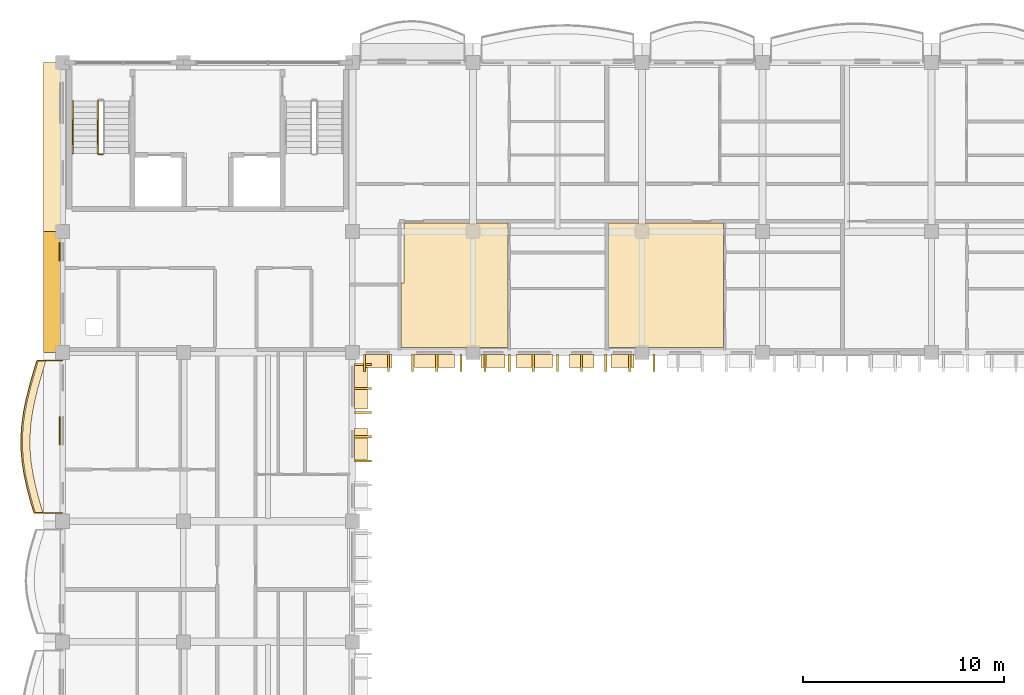
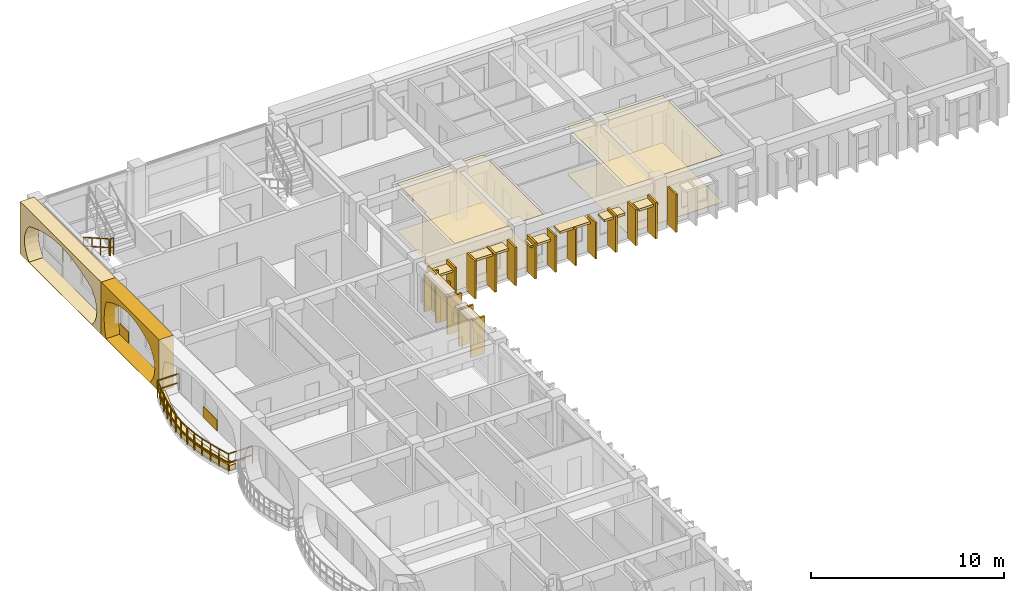
# One storey, part 80 of 101: 35 coverings, 4 railings.
"""IFC4 building model written with IfcOpenShell, lengths in metres."""

from ifc_helpers import new_model, si_unit, direction, frame, origin, origin_2d, place, context, subcontext, project, spatial, polyline, rectangle, outline, extrude, material, layer, layer_set, type_object, element, save


model = new_model("IFC4")

# Units and contexts
model_context = context("Model", 3, precision=1e-05, world=origin(), true_north=direction((0.0, 1.0)))
body_context = subcontext(model_context, "Body", "Model", "MODEL_VIEW")
ifc_project = project(units=[si_unit("LENGTHUNIT", "METRE"), si_unit("AREAUNIT", "SQUARE_METRE"), si_unit("VOLUMEUNIT", "CUBIC_METRE"), si_unit("PLANEANGLEUNIT", "RADIAN"), si_unit("MASSUNIT", "GRAM", prefix="KILO"), si_unit("THERMODYNAMICTEMPERATUREUNIT", "KELVIN")], contexts=[model_context])

# Site, building, storey
site_placement = place(None, origin())
site = spatial("IfcSite", under=ifc_project, at=site_placement, CompositionType="ELEMENT")
building_placement = place(site_placement, origin())
building = spatial("IfcBuilding", under=site, at=building_placement, Name="Thalorik Housing Commons", CompositionType="ELEMENT")
storey_placement = place(building_placement, frame((0.0, 0.0, 8.10009765625)))
storey = spatial("IfcBuildingStorey", under=building, at=storey_placement, Name="L02", CompositionType="ELEMENT", Elevation=8.10009765625)

# Coverings
ifc_material_1 = material(Name="Cobalt blue glazed ceramic facade tile panel", Category="masonry")
ifc_layer_1 = layer(ifc_material_1, 0.06005859375, Name="Cobalt blue glazed ceramic facade tile panel", Category="masonry")
ifc_layer_set_1 = layer_set([ifc_layer_1], Name="Cobalt blue glazed ceramic facade tile panel")
covering_type_1 = type_object("IfcCoveringType", Name="ARC-CLD-BLU-60", PredefinedType="CLADDING", material=ifc_layer_set_1)
covering_1_placement = place(storey_placement, frame((8.257568359375, 105.302490234375, 0.0498046875), z_axis=(0.0, 0.0, 1.0), x_axis=(0.0, -1.0, 0.0)))
element("IfcCovering", 1, at=covering_1_placement, inside=storey, type_object=covering_type_1, Name="L02 De Stijl Recessed Window Spandrel 197", PredefinedType="CLADDING", context=body_context, shape_type="SweptSolid", body=[
    extrude(rectangle(XDim=1.39990234375, YDim=0.06005859375, at=origin_2d()), origin(), (0.0, 0.0, 1.0), 0.699951171875),
])
ifc_material_2 = material(Name="Precast concrete C40/50", Category="concrete")
ifc_layer_2 = layer(ifc_material_2, 0.85009765625, Name="Precast concrete C40/50", Category="concrete")
ifc_layer_set_2 = layer_set([ifc_layer_2], Name="Precast concrete C40/50")
covering_type_2 = type_object("IfcCoveringType", Name="ARC-CLD-CUSH-850", PredefinedType="CLADDING", material=ifc_layer_set_2)
covering_2_placement = place(storey_placement, frame((7.867431640625, 119.39990234375, 0.0), z_axis=(0.0, 0.0, 1.0), x_axis=(0.0, -1.0, 0.0)))
element("IfcCovering", 2, at=covering_2_placement, inside=storey, type_object=covering_type_2, Name="L02 White Precast Curved Cushion Bay Frame 192", PredefinedType="CLADDING", context=body_context, shape_type="SweptSolid", body=[
    extrude(outline(polyline([(-4.199951171875, 0.0), (4.199951171875, 0.0), (4.199951171875, 3.300048828125), (-4.199951171875, 3.300048828125), (-4.199951171875, 0.0)]), holes=[polyline([(3.239990234375, 0.02490234375), (3.523193359375, 0.40087890625), (3.693359375, 0.776611328125), (3.75, 1.152587890625), (3.693359375, 1.5283203125), (3.523193359375, 1.904296875), (3.239990234375, 2.280029296875), (2.697265625, 2.51123046875), (2.154296875, 2.693115234375), (1.611572265625, 2.840087890625), (1.06884765625, 2.94970703125), (0.52587890625, 3.01708984375), (-0.016845703125, 3.0400390625), (-0.559814453125, 3.01708984375), (-1.1025390625, 2.94970703125), (-1.645263671875, 2.840087890625), (-2.18798828125, 2.693115234375), (-2.73095703125, 2.51123046875), (-3.273681640625, 2.280029296875), (-3.538330078125, 1.904296875), (-3.697021484375, 1.5283203125), (-3.75, 1.152587890625), (-3.697021484375, 0.776611328125), (-3.538330078125, 0.40087890625), (-3.273681640625, 0.02490234375), (3.239990234375, 0.02490234375)])]), frame((0.0, 0.425048828125, 0.0), z_axis=(0.0, -1.0, 0.0), x_axis=(1.0, 0.0, 0.0)), (0.0, 0.0, 1.0), 0.85009765625),
])
covering_3_placement = place(storey_placement, frame((7.867431640625, 112.199951171875, 0.0), z_axis=(0.0, 0.0, 1.0), x_axis=(0.0, -1.0, 0.0)))
element("IfcCovering", 3, at=covering_3_placement, inside=storey, type_object=covering_type_2, Name="L02 White Precast Curved Cushion Bay Frame 194", PredefinedType="CLADDING", context=body_context, shape_type="SweptSolid", body=[
    extrude(outline(polyline([(-3.0, 0.0), (3.0, 0.0), (3.0, 3.300048828125), (-3.0, 3.300048828125), (-3.0, 0.0)]), holes=[polyline([(2.0400390625, 0.02490234375), (2.3232421875, 0.410888671875), (2.493408203125, 0.796630859375), (2.550048828125, 1.1826171875), (2.493408203125, 1.568359375), (2.3232421875, 1.9541015625), (2.0400390625, 2.340087890625), (1.661376953125, 2.552978515625), (1.282470703125, 2.720458984375), (0.90380859375, 2.85595703125), (0.52490234375, 2.956787109375), (0.146240234375, 3.01904296875), (-0.232421875, 3.0400390625), (-0.611328125, 3.01904296875), (-0.989990234375, 2.956787109375), (-1.36865234375, 2.85595703125), (-1.74755859375, 2.720458984375), (-2.126220703125, 2.552978515625), (-2.5048828125, 2.340087890625), (-2.609619140625, 1.9541015625), (-2.672119140625, 1.568359375), (-2.693115234375, 1.1826171875), (-2.672119140625, 0.796630859375), (-2.609619140625, 0.410888671875), (-2.5048828125, 0.02490234375), (2.0400390625, 0.02490234375)])]), frame((0.0, 0.425048828125, 0.0), z_axis=(0.0, -1.0, 0.0), x_axis=(1.0, 0.0, 0.0)), (0.0, 0.0, 1.0), 0.85009765625),
])
ifc_layer_3 = layer(ifc_material_2, 0.85009765625, Name="Precast concrete C40/50", Category="concrete")
ifc_layer_set_3 = layer_set([ifc_layer_3], Name="Precast concrete C40/50")
covering_type_3 = type_object("IfcCoveringType", Name="ARC-CLD-FIN-850", PredefinedType="CLADDING", material=ifc_layer_set_3)
for number, where, z_axis, x_axis, name in (
    (4, (23.39990234375, 108.66748046875, 0.039794921875), (0.0, 0.0, 1.0), (1.0, 0.0, 0.0), "L02 Courtyard Precast Vertical Brise-Soleil Fin 124"),
    (5, (24.60009765625, 108.66748046875, 0.039794921875), (0.0, 0.0, 1.0), (1.0, 0.0, 0.0), "L02 Courtyard Precast Vertical Brise-Soleil Fin 125"),
    (6, (25.800048828125, 108.66748046875, 0.039794921875), (0.0, 0.0, 1.0), (1.0, 0.0, 0.0), "L02 Courtyard Precast Vertical Brise-Soleil Fin 126"),
    (7, (27.0, 108.66748046875, 0.039794921875), (0.0, 0.0, 1.0), (1.0, 0.0, 0.0), "L02 Courtyard Precast Vertical Brise-Soleil Fin 127"),
    (8, (28.199951171875, 108.66748046875, 0.039794921875), (0.0, 0.0, 1.0), (1.0, 0.0, 0.0), "L02 Courtyard Precast Vertical Brise-Soleil Fin 128"),
):
    element("IfcCovering", number, at=place(storey_placement, frame(where, z_axis=z_axis, x_axis=x_axis)), inside=storey, type_object=covering_type_3, Name=name, PredefinedType="CLADDING", context=body_context, shape_type="SweptSolid", body=[
        extrude(rectangle(XDim=0.110107421875, YDim=0.85009765625, at=origin_2d()), origin(), (0.0, 0.0, 1.0), 2.39501953125),
    ])
for number, where, z_axis, x_axis, name in (
    (9, (29.39990234375, 108.66748046875, 0.0400390625), (0.0, 0.0, 1.0), (1.0, 0.0, 0.0), "L02 Courtyard Precast Vertical Brise-Soleil Fin 131"),
    (10, (30.60009765625, 108.66748046875, 0.0400390625), (0.0, 0.0, 1.0), (1.0, 0.0, 0.0), "L02 Courtyard Precast Vertical Brise-Soleil Fin 132"),
    (11, (31.800048828125, 108.66748046875, 0.0400390625), (0.0, 0.0, 1.0), (1.0, 0.0, 0.0), "L02 Courtyard Precast Vertical Brise-Soleil Fin 133"),
    (12, (33.0, 108.66748046875, 0.0400390625), (0.0, 0.0, 1.0), (1.0, 0.0, 0.0), "L02 Courtyard Precast Vertical Brise-Soleil Fin 134"),
    (13, (34.199951171875, 108.66748046875, 0.0400390625), (0.0, 0.0, 1.0), (1.0, 0.0, 0.0), "L02 Courtyard Precast Vertical Brise-Soleil Fin 135"),
    (14, (35.39990234375, 108.66748046875, 0.0400390625), (0.0, 0.0, 1.0), (1.0, 0.0, 0.0), "L02 Courtyard Precast Vertical Brise-Soleil Fin 136"),
    (15, (36.60009765625, 108.66748046875, 0.0400390625), (0.0, 0.0, 1.0), (1.0, 0.0, 0.0), "L02 Courtyard Precast Vertical Brise-Soleil Fin 137"),
):
    element("IfcCovering", number, at=place(storey_placement, frame(where, z_axis=z_axis, x_axis=x_axis)), inside=storey, type_object=covering_type_3, Name=name, PredefinedType="CLADDING", context=body_context, shape_type="SweptSolid", body=[
        extrude(rectangle(XDim=0.110107421875, YDim=0.85009765625, at=origin_2d()), origin(), (0.0, 0.0, 1.0), 2.294921875),
    ])
covering_4_placement = place(storey_placement, frame((37.800048828125, 108.66748046875, 0.039794921875), z_axis=(0.0, 0.0, 1.0), x_axis=(1.0, 0.0, 0.0)))
element("IfcCovering", 16, at=covering_4_placement, inside=storey, type_object=covering_type_3, Name="L02 Courtyard Precast Vertical Brise-Soleil Fin 142", PredefinedType="CLADDING", context=body_context, shape_type="SweptSolid", body=[
    extrude(rectangle(XDim=0.110107421875, YDim=0.85009765625, at=origin_2d()), origin(), (0.0, 0.0, 1.0), 2.39501953125),
])
for number, where, z_axis, x_axis, name in (
    (17, (23.33251953125, 103.800048828125, 0.0400390625), (0.0, 0.0, 1.0), (0.0, 1.0, 0.0), "L02 Courtyard Precast Vertical Brise-Soleil Fin 258"),
    (18, (23.33251953125, 105.0, 0.0400390625), (0.0, 0.0, 1.0), (0.0, 1.0, 0.0), "L02 Courtyard Precast Vertical Brise-Soleil Fin 259"),
    (19, (23.33251953125, 106.199951171875, 0.0400390625), (0.0, 0.0, 1.0), (0.0, 1.0, 0.0), "L02 Courtyard Precast Vertical Brise-Soleil Fin 260"),
    (20, (23.33251953125, 107.39990234375, 0.0400390625), (0.0, 0.0, 1.0), (0.0, 1.0, 0.0), "L02 Courtyard Precast Vertical Brise-Soleil Fin 261"),
    (21, (23.33251953125, 108.60009765625, 0.0400390625), (0.0, 0.0, 1.0), (0.0, 1.0, 0.0), "L02 Courtyard Precast Vertical Brise-Soleil Fin 262"),
):
    element("IfcCovering", number, at=place(storey_placement, frame(where, z_axis=z_axis, x_axis=x_axis)), inside=storey, type_object=covering_type_3, Name=name, PredefinedType="CLADDING", context=body_context, shape_type="SweptSolid", body=[
        extrude(rectangle(XDim=0.110107421875, YDim=0.85009765625, at=origin_2d()), origin(), (0.0, 0.0, 1.0), 2.344970703125),
    ])
ifc_layer_4 = layer(ifc_material_2, 0.64990234375, Name="Precast concrete C40/50", Category="concrete")
ifc_layer_set_4 = layer_set([ifc_layer_4], Name="Precast concrete C40/50")
covering_type_4 = type_object("IfcCoveringType", Name="ARC-CLD-HOOD-650", PredefinedType="CLADDING", material=ifc_layer_set_4)
covering_5_placement = place(storey_placement, frame((24.070068359375, 108.767578125, 2.0400390625), z_axis=(0.0, 0.0, 1.0), x_axis=(1.0, 0.0, 0.0)))
element("IfcCovering", 22, at=covering_5_placement, inside=storey, type_object=covering_type_4, Name="L02 Courtyard Precast Window Sun-Hood 129", PredefinedType="CLADDING", context=body_context, shape_type="SweptSolid", body=[
    extrude(rectangle(XDim=1.389892578125, YDim=0.64990234375, at=origin_2d()), origin(), (0.0, 0.0, 1.0), 0.139892578125),
])
covering_6_placement = place(storey_placement, frame((26.8798828125, 108.767578125, 2.23974609375), z_axis=(0.0, 0.0, 1.0), x_axis=(1.0, 0.0, 0.0)))
element("IfcCovering", 23, at=covering_6_placement, inside=storey, type_object=covering_type_4, Name="L02 Courtyard Precast Window Sun-Hood 130", PredefinedType="CLADDING", context=body_context, shape_type="SweptSolid", body=[
    extrude(rectangle(XDim=1.989990234375, YDim=0.64990234375, at=origin_2d()), origin(), (0.0, 0.0, 1.0), 0.139892578125),
])
covering_7_placement = place(storey_placement, frame((29.797607421875, 108.767578125, 1.93994140625), z_axis=(0.0, 0.0, 1.0), x_axis=(1.0, 0.0, 0.0)))
element("IfcCovering", 24, at=covering_7_placement, inside=storey, type_object=covering_type_4, Name="L02 Courtyard Precast Window Sun-Hood 138", PredefinedType="CLADDING", context=body_context, shape_type="SweptSolid", body=[
    extrude(rectangle(XDim=1.18994140625, YDim=0.64990234375, at=origin_2d()), origin(), (0.0, 0.0, 1.0), 0.139892578125),
])
covering_8_placement = place(storey_placement, frame((31.853759765625, 108.767578125, 2.22509765625), z_axis=(0.0, 0.0, 1.0), x_axis=(1.0, 0.0, 0.0)))
element("IfcCovering", 25, at=covering_8_placement, inside=storey, type_object=covering_type_4, Name="L02 Courtyard Precast Window Sun-Hood 139", PredefinedType="CLADDING", context=body_context, shape_type="SweptSolid", body=[
    extrude(rectangle(XDim=1.820068359375, YDim=0.64990234375, at=origin_2d()), origin(), (0.0, 0.0, 1.0), 0.139892578125),
])
covering_9_placement = place(storey_placement, frame((34.211181640625, 108.767578125, 2.0400390625), z_axis=(0.0, 0.0, 1.0), x_axis=(1.0, 0.0, 0.0)))
element("IfcCovering", 26, at=covering_9_placement, inside=storey, type_object=covering_type_4, Name="L02 Courtyard Precast Window Sun-Hood 140", PredefinedType="CLADDING", context=body_context, shape_type="SweptSolid", body=[
    extrude(rectangle(XDim=1.239990234375, YDim=0.64990234375, at=origin_2d()), origin(), (0.0, 0.0, 1.0), 0.139892578125),
])
covering_10_placement = place(storey_placement, frame((36.235107421875, 108.767578125, 1.98974609375), z_axis=(0.0, 0.0, 1.0), x_axis=(1.0, 0.0, 0.0)))
element("IfcCovering", 27, at=covering_10_placement, inside=storey, type_object=covering_type_4, Name="L02 Courtyard Precast Window Sun-Hood 141", PredefinedType="CLADDING", context=body_context, shape_type="SweptSolid", body=[
    extrude(rectangle(XDim=1.139892578125, YDim=0.64990234375, at=origin_2d()), origin(), (0.0, 0.0, 1.0), 0.139892578125),
])
covering_11_placement = place(storey_placement, frame((23.232421875, 104.639892578125, 2.18994140625), z_axis=(0.0, 0.0, 1.0), x_axis=(0.0, 1.0, 0.0)))
element("IfcCovering", 28, at=covering_11_placement, inside=storey, type_object=covering_type_4, Name="L02 Courtyard Precast Window Sun-Hood 264", PredefinedType="CLADDING", context=body_context, shape_type="SweptSolid", body=[
    extrude(rectangle(XDim=1.5400390625, YDim=0.64990234375, at=origin_2d()), origin(), (0.0, 0.0, 1.0), 0.139892578125),
])
covering_12_placement = place(storey_placement, frame((23.232421875, 107.506591796875, 2.27490234375), z_axis=(0.0, 0.0, 1.0), x_axis=(0.0, 1.0, 0.0)))
element("IfcCovering", 29, at=covering_12_placement, inside=storey, type_object=covering_type_4, Name="L02 Courtyard Precast Window Sun-Hood 265", PredefinedType="CLADDING", context=body_context, shape_type="SweptSolid", body=[
    extrude(rectangle(XDim=2.239990234375, YDim=0.64990234375, at=origin_2d()), origin(), (0.0, 0.0, 1.0), 0.139892578125),
])
ifc_material_3 = material(Name="Terracotta red mineral fibre-cement panel", Category="masonry")
ifc_layer_5 = layer(ifc_material_3, 0.054931640625, Name="Terracotta red mineral fibre-cement panel", Category="masonry")
ifc_layer_set_5 = layer_set([ifc_layer_5], Name="Terracotta red mineral fibre-cement panel")
covering_type_5 = type_object("IfcCoveringType", Name="ARC-CLD-RED-55", PredefinedType="CLADDING", material=ifc_layer_set_5)
covering_13_placement = place(storey_placement, frame((8.260009765625, 114.205078125, 0.0498046875), z_axis=(0.0, 0.0, 1.0), x_axis=(0.0, -1.0, 0.0)))
element("IfcCovering", 30, at=covering_13_placement, inside=storey, type_object=covering_type_5, Name="L02 De Stijl Recessed Window Spandrel 195", PredefinedType="CLADDING", context=body_context, shape_type="SweptSolid", body=[
    extrude(rectangle(XDim=0.89990234375, YDim=0.054931640625, at=origin_2d()), origin(), (0.0, 0.0, 1.0), 0.699951171875),
])
ifc_material_4 = material(Name="Perforated acoustic gypsum ceiling board")
ifc_layer_6 = layer(ifc_material_4, 0.014892578125, Name="Perforated acoustic gypsum ceiling board")
ifc_layer_set_6 = layer_set([ifc_layer_6], Name="Perforated acoustic gypsum ceiling board")
covering_type_6 = type_object("IfcCoveringType", Name="ARC-COV-CEIL-01", PredefinedType="CEILING", material=ifc_layer_set_6)
covering_14_placement = place(storey_placement, frame((0.0, 0.0, 2.98486328125)))
element("IfcCovering", 31, at=covering_14_placement, inside=storey, type_object=covering_type_6, Name="L02 Family Lounge Suspended Ceiling", PredefinedType="CEILING", context=body_context, shape_type="SweptSolid", body=[
    extrude(outline(polyline([(25.22998046875, 109.43994140625), (30.534912109375, 109.43994140625), (30.534912109375, 115.639892578125), (25.364990234375, 115.639892578125), (25.36328125, 112.642822265625), (25.349853515625, 112.635009765625), (25.22998046875, 112.635009765625), (25.22998046875, 109.43994140625)])), origin(), (0.0, 0.0, 1.0), 0.01513671875),
])
ifc_material_5 = material(Name="Mineral fibre acoustic ceiling tile")
ifc_layer_7 = layer(ifc_material_5, 0.01806640625, Name="Mineral fibre acoustic ceiling tile")
ifc_layer_set_7 = layer_set([ifc_layer_7], Name="Mineral fibre acoustic ceiling tile")
covering_type_7 = type_object("IfcCoveringType", Name="ARC-COV-CEIL-02", PredefinedType="CEILING", material=ifc_layer_set_7)
covering_15_placement = place(storey_placement, frame((0.0, 0.0, 2.98193359375)))
element("IfcCovering", 32, at=covering_15_placement, inside=storey, type_object=covering_type_7, Name="L02 Living Dining Room Suspended Ceiling", PredefinedType="CEILING", context=body_context, shape_type="SweptSolid", body=[
    extrude(outline(polyline([(41.25, 109.43994140625), (41.25, 115.639892578125), (35.5400390625, 115.639892578125), (35.5400390625, 109.43994140625), (41.25, 109.43994140625)])), origin(), (0.0, 0.0, 1.0), 0.01806640625),
])
ifc_material_6 = material(Name="Glazed Recife ceramic apartment floor tile")
ifc_layer_8 = layer(ifc_material_6, 0.011962890625, Name="Glazed Recife ceramic apartment floor tile")
ifc_layer_set_8 = layer_set([ifc_layer_8], Name="Glazed Recife ceramic apartment floor tile")
covering_type_8 = type_object("IfcCoveringType", Name="ARC-COV-FLR-01", PredefinedType="FLOORING", material=ifc_layer_set_8)
covering_16_placement = place(storey_placement, origin())
element("IfcCovering", 33, at=covering_16_placement, inside=storey, type_object=covering_type_8, Name="L02 Family Lounge Flooring", PredefinedType="FLOORING", context=body_context, shape_type="SweptSolid", body=[
    extrude(outline(polyline([(25.22998046875, 109.43994140625), (30.534912109375, 109.43994140625), (30.534912109375, 115.639892578125), (25.364990234375, 115.639892578125), (25.36328125, 112.642822265625), (25.349853515625, 112.635009765625), (25.22998046875, 112.635009765625), (25.22998046875, 109.43994140625)])), origin(), (0.0, 0.0, 1.0), 0.011962890625),
])
ifc_material_7 = material(Name="Slip-resistant quarry terracotta corridor tile", Category="masonry")
ifc_layer_9 = layer(ifc_material_7, 0.01611328125, Name="Slip-resistant quarry terracotta corridor tile", Category="masonry")
ifc_layer_set_9 = layer_set([ifc_layer_9], Name="Slip-resistant quarry terracotta corridor tile")
covering_type_9 = type_object("IfcCoveringType", Name="ARC-COV-FLR-02", PredefinedType="FLOORING", material=ifc_layer_set_9)
covering_17_placement = place(storey_placement, origin())
element("IfcCovering", 34, at=covering_17_placement, inside=storey, type_object=covering_type_9, Name="L02 Living Dining Room Flooring", PredefinedType="FLOORING", context=body_context, shape_type="SweptSolid", body=[
    extrude(outline(polyline([(41.25, 109.43994140625), (41.25, 115.639892578125), (35.5400390625, 115.639892578125), (35.5400390625, 109.43994140625), (41.25, 109.43994140625)])), origin(), (0.0, 0.0, 1.0), 0.015869140625),
])
ifc_material_8 = material(Name="Planted vegetated substrate and terracotta trough", Category="masonry")
ifc_layer_10 = layer(ifc_material_8, 0.340087890625, Name="Planted vegetated substrate and terracotta trough", Category="masonry")
ifc_layer_set_10 = layer_set([ifc_layer_10], Name="Planted vegetated substrate and terracotta trough")
covering_type_10 = type_object("IfcCoveringType", Name="ARC-COV-PLANTER", PredefinedType="USERDEFINED", material=ifc_layer_set_10)
covering_18_placement = place(storey_placement, origin())
element("IfcCovering", 35, at=covering_18_placement, inside=storey, type_object=covering_type_10, Name="L02 Balcony Slab-Edge Planted Trough 5326", ObjectType="PLANTER", PredefinedType="USERDEFINED", context=body_context, shape_type="SweptSolid", body=[
    extrude(outline(polyline([(7.1806640625, 108.780029296875), (6.9951171875, 108.14990234375), (6.816650390625, 107.52001953125), (6.657470703125, 106.889892578125), (6.5283203125, 106.260009765625), (6.438720703125, 105.6298828125), (6.39453125, 105.0), (6.3994140625, 104.3701171875), (6.45263671875, 103.739990234375), (6.551025390625, 103.110107421875), (6.6875, 102.47998046875), (6.85302734375, 101.85009765625), (7.0361328125, 101.219970703125), (7.416259765625, 101.219970703125), (7.233154296875, 101.85009765625), (7.067626953125, 102.47998046875), (6.930908203125, 103.110107421875), (6.83251953125, 103.739990234375), (6.779296875, 104.3701171875), (6.774658203125, 105.0), (6.818603515625, 105.6298828125), (6.908203125, 106.260009765625), (7.037353515625, 106.889892578125), (7.19677734375, 107.52001953125), (7.375244140625, 108.14990234375), (7.560546875, 108.780029296875), (7.1806640625, 108.780029296875)])), origin(), (0.0, 0.0, 1.0), 0.33984375),
])

# Railings
ifc_material_9 = material(Name="Steel S355", Category="steel")
railing_type_1 = type_object("IfcRailingType", Name="ARC-RL-BAL-112", PredefinedType="BALUSTRADE", material=ifc_material_9)
railing_1_placement = place(storey_placement, frame((8.39990234375, 108.780029296875, 0.0)))
element("IfcRailing", 36, at=railing_1_placement, inside=storey, type_object=railing_type_1, Name="L02 Cushion Balcony Guardrail 10", PredefinedType="BALUSTRADE", context=body_context, shape_type="SweptSolid", body=[
    extrude(rectangle(XDim=0.050048828125, YDim=0.050048828125, at=origin_2d()), frame((0.0, 0.0, 1.09521484375), z_axis=(-1.0, 0.0, 0.0), x_axis=(0.0, -1.0, 0.0)), (0.0, 0.0, 1.0), 1.289306640625),
    extrude(rectangle(XDim=0.050048828125, YDim=0.050048828125, at=origin_2d()), frame((0.0, 0.0, 0.53515625), z_axis=(-1.0, 0.0, 0.0), x_axis=(0.0, -1.0, 0.0)), (0.0, 0.0, 1.0), 1.289306640625),
    extrude(rectangle(XDim=0.050048828125, YDim=0.050048828125, at=origin_2d()), frame((-1.289306640625, 0.0, 1.09521484375), z_axis=(-0.282126075149, -0.959377338549, 0.0), x_axis=(0.959377338549, -0.282126075149, 0.0)), (0.0, 0.0, 1.0), 0.65673828125),
    extrude(rectangle(XDim=0.050048828125, YDim=0.050048828125, at=origin_2d()), frame((-1.289306640625, 0.0, 0.53515625), z_axis=(-0.282126075149, -0.959377338549, 0.0), x_axis=(0.959377338549, -0.282126075149, 0.0)), (0.0, 0.0, 1.0), 0.65673828125),
    extrude(rectangle(XDim=0.050048828125, YDim=0.050048828125, at=origin_2d()), frame((-1.474609375, -0.630126953125, 1.09521484375), z_axis=(-0.272947724844, -0.962028866252, 0.0), x_axis=(0.962028866252, -0.272947724844, 0.0)), (0.0, 0.0, 1.0), 0.65478515625),
    extrude(rectangle(XDim=0.050048828125, YDim=0.050048828125, at=origin_2d()), frame((-1.474609375, -0.630126953125, 0.53515625), z_axis=(-0.272947724844, -0.962028866252, 0.0), x_axis=(0.962028866252, -0.272947724844, 0.0)), (0.0, 0.0, 1.0), 0.65478515625),
    extrude(rectangle(XDim=0.050048828125, YDim=0.050048828125, at=origin_2d()), frame((-1.6533203125, -1.260009765625, 1.09521484375), z_axis=(-0.244921349705, -0.969542950291, 0.0), x_axis=(0.969542950291, -0.244921349705, 0.0)), (0.0, 0.0, 1.0), 0.64990234375),
    extrude(rectangle(XDim=0.050048828125, YDim=0.050048828125, at=origin_2d()), frame((-1.6533203125, -1.260009765625, 0.53515625), z_axis=(-0.244921349705, -0.969542950291, 0.0), x_axis=(0.969542950291, -0.244921349705, 0.0)), (0.0, 0.0, 1.0), 0.64990234375),
    extrude(rectangle(XDim=0.050048828125, YDim=0.050048828125, at=origin_2d()), frame((-1.8125, -1.89013671875, 1.09521484375), z_axis=(-0.200860058517, -0.979619945128, 0.0), x_axis=(0.979619945128, -0.200860058517, 0.0)), (0.0, 0.0, 1.0), 0.64306640625),
    extrude(rectangle(XDim=0.050048828125, YDim=0.050048828125, at=origin_2d()), frame((-1.8125, -1.89013671875, 0.53515625), z_axis=(-0.200860058517, -0.979619945128, 0.0), x_axis=(0.979619945128, -0.200860058517, 0.0)), (0.0, 0.0, 1.0), 0.64306640625),
    extrude(rectangle(XDim=0.050048828125, YDim=0.050048828125, at=origin_2d()), frame((-1.941650390625, -2.52001953125, 1.09521484375), z_axis=(-0.140776897966, -0.990041345096, 0.0), x_axis=(0.990041345096, -0.140776897966, 0.0)), (0.0, 0.0, 1.0), 0.636474609375),
    extrude(rectangle(XDim=0.050048828125, YDim=0.050048828125, at=origin_2d()), frame((-1.941650390625, -2.52001953125, 0.53515625), z_axis=(-0.140776897966, -0.990041345096, 0.0), x_axis=(0.990041345096, -0.140776897966, 0.0)), (0.0, 0.0, 1.0), 0.636474609375),
    extrude(rectangle(XDim=0.050048828125, YDim=0.050048828125, at=origin_2d()), frame((-2.03125, -3.150146484375, 1.09521484375), z_axis=(-0.069598262849, -0.997575100836, 0.0), x_axis=(0.997575100836, -0.069598262849, 0.0)), (0.0, 0.0, 1.0), 0.63134765625),
    extrude(rectangle(XDim=0.050048828125, YDim=0.050048828125, at=origin_2d()), frame((-2.03125, -3.150146484375, 0.53515625), z_axis=(-0.069598262849, -0.997575100836, 0.0), x_axis=(0.997575100836, -0.069598262849, 0.0)), (0.0, 0.0, 1.0), 0.63134765625),
    extrude(rectangle(XDim=0.050048828125, YDim=0.050048828125, at=origin_2d()), frame((-2.0751953125, -3.780029296875, 1.09521484375), z_axis=(0.007364141396, -0.999972884343, 0.0), x_axis=(0.999972884343, 0.007364141396, 0.0)), (0.0, 0.0, 1.0), 0.6298828125),
    extrude(rectangle(XDim=0.050048828125, YDim=0.050048828125, at=origin_2d()), frame((-2.0751953125, -3.780029296875, 0.53515625), z_axis=(0.007364141396, -0.999972884343, 0.0), x_axis=(0.999972884343, 0.007364141396, 0.0)), (0.0, 0.0, 1.0), 0.6298828125),
    extrude(rectangle(XDim=0.050048828125, YDim=0.050048828125, at=origin_2d()), frame((-2.070556640625, -4.409912109375, 1.09521484375), z_axis=(0.084163705207, -0.996451941002, 0.0), x_axis=(0.996451941002, 0.084163705207, 0.0)), (0.0, 0.0, 1.0), 0.63232421875),
    extrude(rectangle(XDim=0.050048828125, YDim=0.050048828125, at=origin_2d()), frame((-2.070556640625, -4.409912109375, 0.53515625), z_axis=(0.084163705207, -0.996451941002, 0.0), x_axis=(0.996451941002, 0.084163705207, 0.0)), (0.0, 0.0, 1.0), 0.63232421875),
    extrude(rectangle(XDim=0.050048828125, YDim=0.050048828125, at=origin_2d()), frame((-2.017333984375, -5.0400390625, 1.09521484375), z_axis=(0.154330151775, -0.988019333947, 0.0), x_axis=(0.988019333947, 0.154330151775, 0.0)), (0.0, 0.0, 1.0), 0.637451171875),
    extrude(rectangle(XDim=0.050048828125, YDim=0.050048828125, at=origin_2d()), frame((-2.017333984375, -5.0400390625, 0.53515625), z_axis=(0.154330151775, -0.988019333947, 0.0), x_axis=(0.988019333947, 0.154330151775, 0.0)), (0.0, 0.0, 1.0), 0.637451171875),
    extrude(rectangle(XDim=0.050048828125, YDim=0.050048828125, at=origin_2d()), frame((-1.9189453125, -5.669921875, 1.09521484375), z_axis=(0.212036637638, -0.977261717402, 0.0), x_axis=(0.977261717402, 0.212036637638, 0.0)), (0.0, 0.0, 1.0), 0.644775390625),
    extrude(rectangle(XDim=0.050048828125, YDim=0.050048828125, at=origin_2d()), frame((-1.9189453125, -5.669921875, 0.53515625), z_axis=(0.212036637638, -0.977261717402, 0.0), x_axis=(0.977261717402, 0.212036637638, 0.0)), (0.0, 0.0, 1.0), 0.644775390625),
    extrude(rectangle(XDim=0.050048828125, YDim=0.050048828125, at=origin_2d()), frame((-1.7822265625, -6.300048828125, 1.09521484375), z_axis=(0.254161146498, -0.967161884904, 0.0), x_axis=(0.967161884904, 0.254161146498, 0.0)), (0.0, 0.0, 1.0), 0.6513671875),
    extrude(rectangle(XDim=0.050048828125, YDim=0.050048828125, at=origin_2d()), frame((-1.7822265625, -6.300048828125, 0.53515625), z_axis=(0.254161146498, -0.967161884904, 0.0), x_axis=(0.967161884904, 0.254161146498, 0.0)), (0.0, 0.0, 1.0), 0.6513671875),
    extrude(rectangle(XDim=0.050048828125, YDim=0.050048828125, at=origin_2d()), frame((-1.61669921875, -6.929931640625, 1.09521484375), z_axis=(0.279042632959, -0.960278714224, 0.0), x_axis=(0.960278714224, 0.279042632959, 0.0)), (0.0, 0.0, 1.0), 0.65625),
    extrude(rectangle(XDim=0.050048828125, YDim=0.050048828125, at=origin_2d()), frame((-1.61669921875, -6.929931640625, 0.53515625), z_axis=(0.279042632959, -0.960278714224, 0.0), x_axis=(0.960278714224, 0.279042632959, 0.0)), (0.0, 0.0, 1.0), 0.65625),
    extrude(rectangle(XDim=0.050048828125, YDim=0.050048828125, at=origin_2d()), frame((-1.43359375, -7.56005859375, 1.09521484375), z_axis=(1.0, 0.0, 0.0), x_axis=(0.0, 1.0, 0.0)), (0.0, 0.0, 1.0), 1.43359375),
    extrude(rectangle(XDim=0.050048828125, YDim=0.050048828125, at=origin_2d()), frame((-1.43359375, -7.56005859375, 0.53515625), z_axis=(1.0, 0.0, 0.0), x_axis=(0.0, 1.0, 0.0)), (0.0, 0.0, 1.0), 1.43359375),
    extrude(rectangle(XDim=0.0419921875, YDim=0.0419921875, at=origin_2d()), origin(), (0.0, 0.0, 1.0), 1.070068359375),
    extrude(rectangle(XDim=0.0419921875, YDim=0.0419921875, at=origin_2d()), frame((-1.289306640625, 0.0, 0.0)), (0.0, 0.0, 1.0), 1.070068359375),
    extrude(rectangle(XDim=0.0419921875, YDim=0.0419921875, at=origin_2d()), frame((-1.474609375, -0.630126953125, 0.0)), (0.0, 0.0, 1.0), 1.070068359375),
    extrude(rectangle(XDim=0.0419921875, YDim=0.0419921875, at=origin_2d()), frame((-1.6533203125, -1.260009765625, 0.0)), (0.0, 0.0, 1.0), 1.070068359375),
    extrude(rectangle(XDim=0.0419921875, YDim=0.0419921875, at=origin_2d()), frame((-1.8125, -1.89013671875, 0.0)), (0.0, 0.0, 1.0), 1.070068359375),
    extrude(rectangle(XDim=0.0419921875, YDim=0.0419921875, at=origin_2d()), frame((-1.941650390625, -2.52001953125, 0.0)), (0.0, 0.0, 1.0), 1.070068359375),
    extrude(rectangle(XDim=0.0419921875, YDim=0.0419921875, at=origin_2d()), frame((-2.03125, -3.150146484375, 0.0)), (0.0, 0.0, 1.0), 1.070068359375),
    extrude(rectangle(XDim=0.0419921875, YDim=0.0419921875, at=origin_2d()), frame((-2.0751953125, -3.780029296875, 0.0)), (0.0, 0.0, 1.0), 1.070068359375),
    extrude(rectangle(XDim=0.0419921875, YDim=0.0419921875, at=origin_2d()), frame((-2.070556640625, -4.409912109375, 0.0)), (0.0, 0.0, 1.0), 1.070068359375),
    extrude(rectangle(XDim=0.0419921875, YDim=0.0419921875, at=origin_2d()), frame((-2.017333984375, -5.0400390625, 0.0)), (0.0, 0.0, 1.0), 1.070068359375),
    extrude(rectangle(XDim=0.0419921875, YDim=0.0419921875, at=origin_2d()), frame((-1.9189453125, -5.669921875, 0.0)), (0.0, 0.0, 1.0), 1.070068359375),
    extrude(rectangle(XDim=0.0419921875, YDim=0.0419921875, at=origin_2d()), frame((-1.7822265625, -6.300048828125, 0.0)), (0.0, 0.0, 1.0), 1.070068359375),
    extrude(rectangle(XDim=0.0419921875, YDim=0.0419921875, at=origin_2d()), frame((-1.61669921875, -6.929931640625, 0.0)), (0.0, 0.0, 1.0), 1.070068359375),
    extrude(rectangle(XDim=0.0419921875, YDim=0.0419921875, at=origin_2d()), frame((-1.43359375, -7.56005859375, 0.0)), (0.0, 0.0, 1.0), 1.070068359375),
    extrude(rectangle(XDim=0.0419921875, YDim=0.0419921875, at=origin_2d()), frame((0.0, -7.56005859375, 0.0)), (0.0, 0.0, 1.0), 1.070068359375),
])
railing_type_2 = type_object("IfcRailingType", Name="ARC-RL-STR-GRD110", PredefinedType="GUARDRAIL", material=ifc_material_9)
railing_2_placement = place(storey_placement, frame((10.14990234375, 121.699951171875, 0.164794921875)))
element("IfcRailing", 37, at=railing_2_placement, inside=storey, type_object=railing_type_2, Name="L02 ST-A1 stair guard 1", PredefinedType="GUARDRAIL", context=body_context, shape_type="SweptSolid", body=[
    extrude(rectangle(XDim=0.048095703125, YDim=0.048095703125, at=origin_2d()), frame((0.0, 0.0, 1.076171875), z_axis=(0.0, -0.869137319866, 0.494570843475), x_axis=(1.0, 0.0, 0.0)), (0.0, 0.0, 1.0), 3.0029296875),
    extrude(rectangle(XDim=0.048095703125, YDim=0.048095703125, at=origin_2d()), frame((0.0, 0.0, 0.52587890625), z_axis=(0.0, -0.869137319866, 0.494570843475), x_axis=(1.0, 0.0, 0.0)), (0.0, 0.0, 1.0), 3.0029296875),
    extrude(rectangle(XDim=0.0419921875, YDim=0.0419921875, at=origin_2d()), origin(), (0.0, 0.0, 1.0), 1.052001953125),
    extrude(rectangle(XDim=0.0419921875, YDim=0.0419921875, at=origin_2d()), frame((0.0, -0.869873046875, 0.4951171875)), (0.0, 0.0, 1.0), 1.052001953125),
    extrude(rectangle(XDim=0.0419921875, YDim=0.0419921875, at=origin_2d()), frame((0.0, -1.739990234375, 0.989990234375)), (0.0, 0.0, 1.0), 1.052001953125),
    extrude(rectangle(XDim=0.0419921875, YDim=0.0419921875, at=origin_2d()), frame((0.0, -2.60986328125, 1.485107421875)), (0.0, 0.0, 1.0), 1.052001953125),
])
railing_3_placement = place(storey_placement, frame((10.199951171875, 119.0400390625, 1.64990234375)))
element("IfcRailing", 38, at=railing_3_placement, inside=storey, type_object=railing_type_2, Name="L02 ST-A1 stair guard 2", PredefinedType="GUARDRAIL", context=body_context, shape_type="SweptSolid", body=[
    extrude(rectangle(XDim=0.048095703125, YDim=0.048095703125, at=origin_2d()), frame((0.0, 0.0, 1.076171875), z_axis=(1.0, 0.0, 0.0), x_axis=(0.0, 1.0, 0.0)), (0.0, 0.0, 1.0), 0.199951171875),
    extrude(rectangle(XDim=0.048095703125, YDim=0.048095703125, at=origin_2d()), frame((0.0, 0.0, 0.52587890625), z_axis=(1.0, 0.0, 0.0), x_axis=(0.0, 1.0, 0.0)), (0.0, 0.0, 1.0), 0.199951171875),
    extrude(rectangle(XDim=0.0419921875, YDim=0.0419921875, at=origin_2d()), origin(), (0.0, 0.0, 1.0), 1.052001953125),
    extrude(rectangle(XDim=0.0419921875, YDim=0.0419921875, at=origin_2d()), frame((0.199951171875, 0.0, 0.0)), (0.0, 0.0, 1.0), 1.052001953125),
])
railing_type_3 = type_object("IfcRailingType", Name="ARC-RL-STR-HR092", PredefinedType="HANDRAIL", material=ifc_material_9)
railing_4_placement = place(storey_placement, frame((8.89990234375, 121.699951171875, 0.164794921875)))
element("IfcRailing", 39, at=railing_4_placement, inside=storey, type_object=railing_type_3, Name="L02 ST-A1 stair handrail 1", PredefinedType="HANDRAIL", context=body_context, shape_type="SweptSolid", body=[
    extrude(rectangle(XDim=0.048095703125, YDim=0.048095703125, at=origin_2d()), frame((0.0, 0.0, 0.89599609375), z_axis=(0.0, -0.869137319866, 0.494570843475), x_axis=(1.0, 0.0, 0.0)), (0.0, 0.0, 1.0), 3.0029296875),
    extrude(rectangle(XDim=0.0419921875, YDim=0.0419921875, at=origin_2d()), origin(), (0.0, 0.0, 1.0), 0.871826171875),
    extrude(rectangle(XDim=0.0419921875, YDim=0.0419921875, at=origin_2d()), frame((0.0, -0.869873046875, 0.4951171875)), (0.0, 0.0, 1.0), 0.871826171875),
    extrude(rectangle(XDim=0.0419921875, YDim=0.0419921875, at=origin_2d()), frame((0.0, -1.739990234375, 0.989990234375)), (0.0, 0.0, 1.0), 0.871826171875),
    extrude(rectangle(XDim=0.0419921875, YDim=0.0419921875, at=origin_2d()), frame((0.0, -2.60986328125, 1.485107421875)), (0.0, 0.0, 1.0), 0.871826171875),
])

save(model, "model.ifc")
